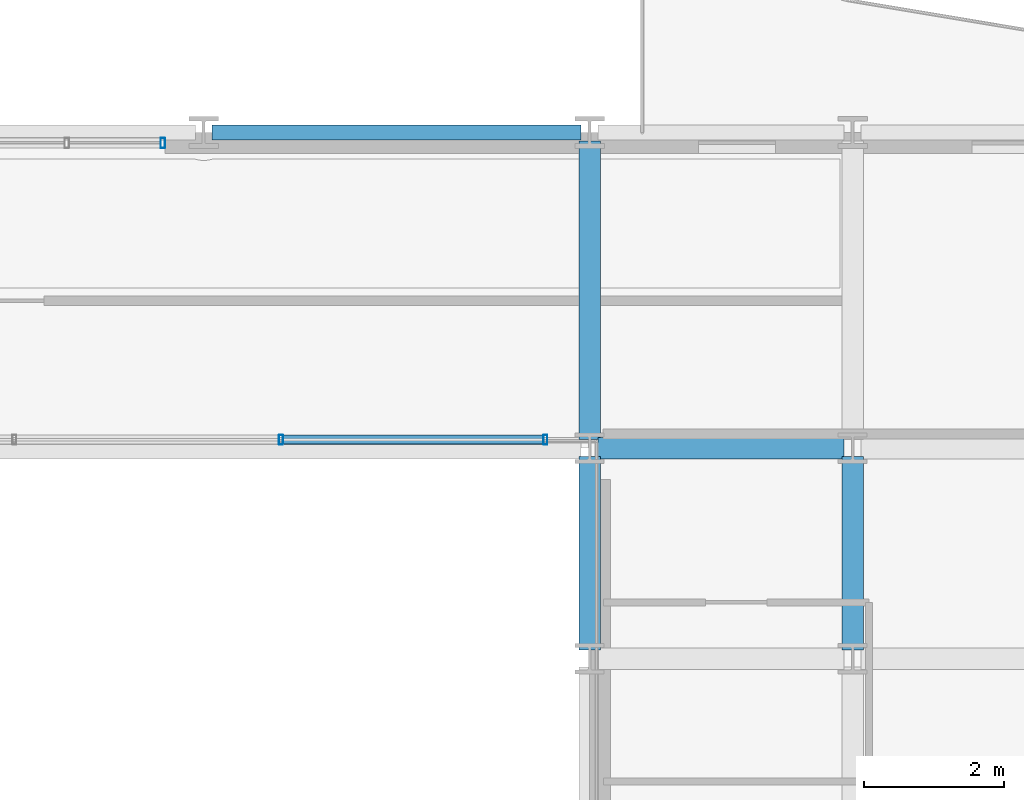
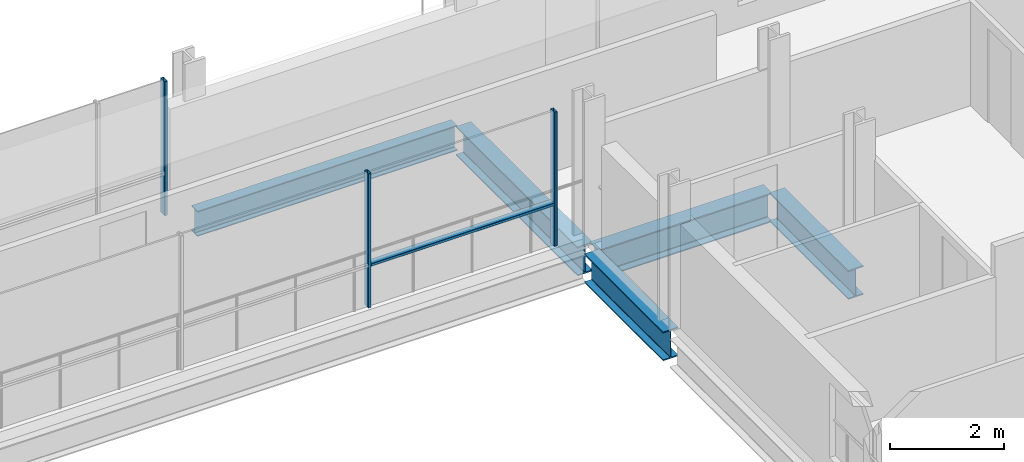
# One storey, part 17 of 39: 5 beams, 4 members, 2 elements without a shape of their own.
"""IFC4 building model written with IfcOpenShell, lengths in metres."""

from ifc_helpers import new_model, si_unit, direction, frame, origin, origin_2d, place, context, subcontext, project, spatial, hollow_rectangle, i_section, extrude, material, layer, layer_set, material_profile, profile_set, type_object, element, aggregate, save


model = new_model("IFC4")

# Units and contexts
model_context = context("Model", 3, precision=1e-05, world=origin(), true_north=direction((0.0, 1.0)))
body_context = subcontext(model_context, "Body", "Model", "MODEL_VIEW")
ifc_project = project(units=[si_unit("LENGTHUNIT", "METRE"), si_unit("AREAUNIT", "SQUARE_METRE"), si_unit("VOLUMEUNIT", "CUBIC_METRE"), si_unit("PLANEANGLEUNIT", "RADIAN"), si_unit("MASSUNIT", "GRAM", prefix="KILO")], contexts=[model_context])

# Site, building, storey
site_placement = place(None, origin())
site = spatial("IfcSite", under=ifc_project, at=site_placement, CompositionType="ELEMENT")
building_placement = place(site_placement, origin())
building = spatial("IfcBuilding", under=site, at=building_placement, Name="Brevholm Reach", CompositionType="ELEMENT")
storey_placement = place(building_placement, frame((0.0, 0.0, 77.60009765625)))
storey = spatial("IfcBuildingStorey", under=building, at=storey_placement, Name="L22", CompositionType="ELEMENT", Elevation=77.60009765625)

# Beams
ifc_material_1 = material(Name="Structural Steel S355J2", Category="steel")
ifc_material_profile_1 = material_profile(ifc_material_1, i_section(OverallWidth=0.210693359375, OverallDepth=0.53955078125, WebThickness=0.01171875, FlangeThickness=0.018798828125, FilletRadius=0.0126953125, at=origin_2d()), Name="UKB 533x210x109")
ifc_profile_set_1 = profile_set([ifc_material_profile_1], Name="Structural Steel S355J2")
beam_type_1 = type_object("IfcBeamType", Name="BM-SP539", PredefinedType="SPANDREL", material=ifc_profile_set_1)
beam_1_placement = place(storey_placement, frame((32.8701171875, 31.0, -0.499755859375), z_axis=(1.0, 0.0, 0.0), x_axis=(0.0, 1.0, 0.0)))
element("IfcBeam", 1, at=beam_1_placement, inside=storey, type_object=beam_type_1, Name="L22 SP-01B Framing Beam", PredefinedType="SPANDREL", context=body_context, shape_type="SweptSolid", body=[
    extrude(i_section(OverallWidth=0.210693359375, OverallDepth=0.53955078125, WebThickness=0.01171875, FlangeThickness=0.018798828125, FilletRadius=0.0126953125, at=origin_2d()), origin(), (0.0, 0.0, 1.0), 5.259765625),
])
ifc_material_2 = material(Name="Structural Steel S355J2", Category="steel")
ifc_material_profile_2 = material_profile(ifc_material_2, i_section(OverallWidth=0.30712890625, OverallDepth=0.6201171875, WebThickness=0.01416015625, FlangeThickness=0.023681640625, FilletRadius=0.0166015625, at=origin_2d()), Name="UKB 610x305x179")
ifc_profile_set_2 = profile_set([ifc_material_profile_2], Name="Structural Steel S355J2")
beam_type_2 = type_object("IfcBeamType", Name="BM-UKB610H", PredefinedType="USERDEFINED", material=ifc_profile_set_2)
beam_2_placement = place(storey_placement, frame((38.3701171875, 26.5, -0.540283203125), z_axis=(1.0, 0.0, 0.0), x_axis=(0.0, 1.0, 0.0)))
element("IfcBeam", 2, at=beam_2_placement, inside=storey, type_object=beam_type_2, Name="L22 G-06 Framing Beam", ObjectType="GIRDER", PredefinedType="USERDEFINED", context=body_context, shape_type="SweptSolid", body=[
    extrude(i_section(OverallWidth=0.30712890625, OverallDepth=0.6201171875, WebThickness=0.01416015625, FlangeThickness=0.023681640625, FilletRadius=0.0166015625, at=origin_2d()), origin(), (0.0, 0.0, 1.0), 3.509765625),
])
beam_3_placement = place(storey_placement, frame((38.25, 23.6201171875, -0.540283203125), z_axis=(0.0, 1.0, 0.0), x_axis=(-1.0, 0.0, 0.0)))
element("IfcBeam", 3, at=beam_3_placement, inside=storey, type_object=beam_type_2, Name="L22 G-06 Framing Beam", ObjectType="GIRDER", PredefinedType="USERDEFINED", context=body_context, shape_type="SweptSolid", body=[
    extrude(i_section(OverallWidth=0.30712890625, OverallDepth=0.6201171875, WebThickness=0.01416015625, FlangeThickness=0.023681640625, FilletRadius=0.0166015625, at=origin_2d()), origin(), (0.0, 0.0, 1.0), 2.759765625),
])
beam_4_placement = place(storey_placement, frame((38.25, 26.6201171875, -0.540283203125), z_axis=(0.0, 1.0, 0.0), x_axis=(-1.0, 0.0, 0.0)))
element("IfcBeam", 4, at=beam_4_placement, inside=storey, type_object=beam_type_2, Name="L22 G-06 Framing Beam", ObjectType="GIRDER", PredefinedType="USERDEFINED", context=body_context, shape_type="SweptSolid", body=[
    extrude(i_section(OverallWidth=0.30712890625, OverallDepth=0.6201171875, WebThickness=0.01416015625, FlangeThickness=0.023681640625, FilletRadius=0.0166015625, at=origin_2d()), origin(), (0.0, 0.0, 1.0), 4.259765625),
])
beam_5_placement = place(storey_placement, frame((42.0, 23.6201171875, -0.540283203125), z_axis=(0.0, 1.0, 0.0), x_axis=(-1.0, 0.0, 0.0)))
element("IfcBeam", 5, at=beam_5_placement, inside=storey, type_object=beam_type_2, Name="L22 G-06 Framing Beam", ObjectType="GIRDER", PredefinedType="USERDEFINED", context=body_context, shape_type="SweptSolid", body=[
    extrude(i_section(OverallWidth=0.30712890625, OverallDepth=0.6201171875, WebThickness=0.01416015625, FlangeThickness=0.023681640625, FilletRadius=0.0166015625, at=origin_2d()), origin(), (0.0, 0.0, 1.0), 2.759765625),
])

# Curtain wall, members
ifc_material_3 = material(Name="Dark Anodised Aluminium 6063-T6 and Solar-Control Glass", Category="aluminium")
ifc_layer_1 = layer(ifc_material_3, 0.139892578125)
ifc_layer_set_1 = layer_set([ifc_layer_1], Name="Dark Anodised Aluminium 6063-T6 and Solar-Control Glass")
curtain_wall_type_1 = type_object("IfcCurtainWallType", Name="CW-02", PredefinedType="NOTDEFINED", material=ifc_layer_set_1)
curtain_wall_1_placement = place(storey_placement, origin())
curtain_wall_1 = element("IfcCurtainWall", 6, at=curtain_wall_1_placement, inside=storey, type_object=curtain_wall_type_1, Name="L22 Curtain Wall CW-02", PredefinedType="NOTDEFINED")
ifc_material_4 = material(Name="Dark Anodised Aluminium 6063-T6", Category="aluminium")
ifc_material_profile_3 = material_profile(ifc_material_4, hollow_rectangle(XDim=0.06005859375, YDim=0.139892578125, WallThickness=0.0048828125, InnerFilletRadius=0.0048828125, OuterFilletRadius=0.010009765625, at=origin_2d()), Name="RHS 140x60x5")
ifc_profile_set_3 = profile_set([ifc_material_profile_3], Name="Dark Anodised Aluminium 6063-T6")
member_type_1 = type_object("IfcMemberType", Name="CWM-140", PredefinedType="MULLION", material=ifc_profile_set_3)
member_1_placement = place(storey_placement, frame((37.6201171875, 26.6201171875, 0.0), z_axis=(0.0, 0.0, 1.0), x_axis=(-1.0, 0.0, 0.0)))
member_1 = element("IfcMember", 7, at=member_1_placement, type_object=member_type_1, Name="CM-140 Mullion 1", PredefinedType="MULLION", context=body_context, shape_type="SweptSolid", body=[
    extrude(hollow_rectangle(XDim=0.06005859375, YDim=0.139892578125, WallThickness=0.0048828125, InnerFilletRadius=0.0048828125, OuterFilletRadius=0.010009765625, at=origin_2d()), origin(), (0.0, 0.0, 1.0), 2.869873046875),
])
member_2_placement = place(storey_placement, frame((33.85009765625, 26.6201171875, 0.0), z_axis=(0.0, 0.0, 1.0), x_axis=(-1.0, 0.0, 0.0)))
member_2 = element("IfcMember", 8, at=member_2_placement, type_object=member_type_1, Name="CM-140 Mullion 2", PredefinedType="MULLION", context=body_context, shape_type="SweptSolid", body=[
    extrude(hollow_rectangle(XDim=0.06005859375, YDim=0.139892578125, WallThickness=0.0048828125, InnerFilletRadius=0.0048828125, OuterFilletRadius=0.010009765625, at=origin_2d()), origin(), (0.0, 0.0, 1.0), 2.869873046875),
])

# Curtain wall, member
ifc_material_5 = material(Name="Dark Anodised Aluminium 6063-T6 and Solar-Control Glass", Category="aluminium")
ifc_layer_2 = layer(ifc_material_5, 0.14990234375)
ifc_layer_set_2 = layer_set([ifc_layer_2], Name="Dark Anodised Aluminium 6063-T6 and Solar-Control Glass")
curtain_wall_type_2 = type_object("IfcCurtainWallType", Name="CW-01", PredefinedType="NOTDEFINED", material=ifc_layer_set_2)
curtain_wall_2_placement = place(storey_placement, origin())
curtain_wall_2 = element("IfcCurtainWall", 9, at=curtain_wall_2_placement, inside=storey, type_object=curtain_wall_type_2, Name="L22 Curtain Wall CW-01", PredefinedType="NOTDEFINED")
ifc_material_6 = material(Name="Dark Anodised Aluminium 6063-T6", Category="aluminium")
ifc_material_profile_4 = material_profile(ifc_material_6, hollow_rectangle(XDim=0.06494140625, YDim=0.14990234375, WallThickness=0.0048828125, InnerFilletRadius=0.0048828125, OuterFilletRadius=0.010009765625, at=origin_2d()), Name="RHS 150x65x5")
ifc_profile_set_4 = profile_set([ifc_material_profile_4], Name="Dark Anodised Aluminium 6063-T6")
member_type_2 = type_object("IfcMemberType", Name="CWM-150", PredefinedType="MULLION", material=ifc_profile_set_4)
member_3_placement = place(storey_placement, frame((32.16748046875, 30.85009765625, 0.0), z_axis=(0.0, 0.0, 1.0), x_axis=(1.0, 0.0, 0.0)))
member_3 = element("IfcMember", 10, at=member_3_placement, type_object=member_type_2, Name="CM-150 Mullion 3", PredefinedType="MULLION", context=body_context, shape_type="SweptSolid", body=[
    extrude(hollow_rectangle(XDim=0.06494140625, YDim=0.14990234375, WallThickness=0.0048828125, InnerFilletRadius=0.0048828125, OuterFilletRadius=0.010009765625, at=origin_2d()), origin(), (0.0, 0.0, 1.0), 2.869873046875),
])
aggregate(curtain_wall_2, [member_3])

# Member
ifc_material_7 = material(Name="Dark Anodised Aluminium 6063-T6", Category="aluminium")
ifc_material_profile_5 = material_profile(ifc_material_7, hollow_rectangle(XDim=0.06005859375, YDim=0.139892578125, WallThickness=0.0048828125, InnerFilletRadius=0.0048828125, OuterFilletRadius=0.010009765625, at=origin_2d()), Name="RHS 140x60x5")
ifc_profile_set_5 = profile_set([ifc_material_profile_5], Name="Dark Anodised Aluminium 6063-T6")
member_type_3 = type_object("IfcMemberType", Name="CWT-140", PredefinedType="NOTDEFINED", material=ifc_profile_set_5)
member_4_placement = place(storey_placement, frame((37.590087890625, 26.6201171875, 0.89990234375), z_axis=(-1.0, 0.0, 0.0), x_axis=(0.0, 0.0, 1.0)))
member_4 = element("IfcMember", 11, at=member_4_placement, type_object=member_type_3, Name="CT-140 Transom 1.1", ObjectType="TRANSOM", PredefinedType="USERDEFINED", context=body_context, shape_type="SweptSolid", body=[
    extrude(hollow_rectangle(XDim=0.06005859375, YDim=0.139892578125, WallThickness=0.0048828125, InnerFilletRadius=0.0048828125, OuterFilletRadius=0.010009765625, at=origin_2d()), origin(), (0.0, 0.0, 1.0), 3.710205078125),
])

aggregate(curtain_wall_1, [member_1, member_2, member_4])

save(model, "model.ifc")
